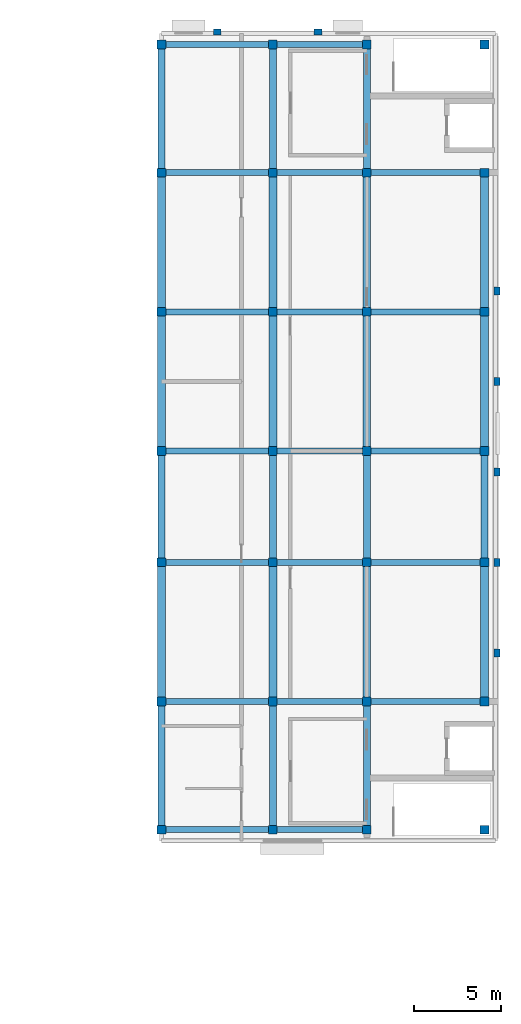
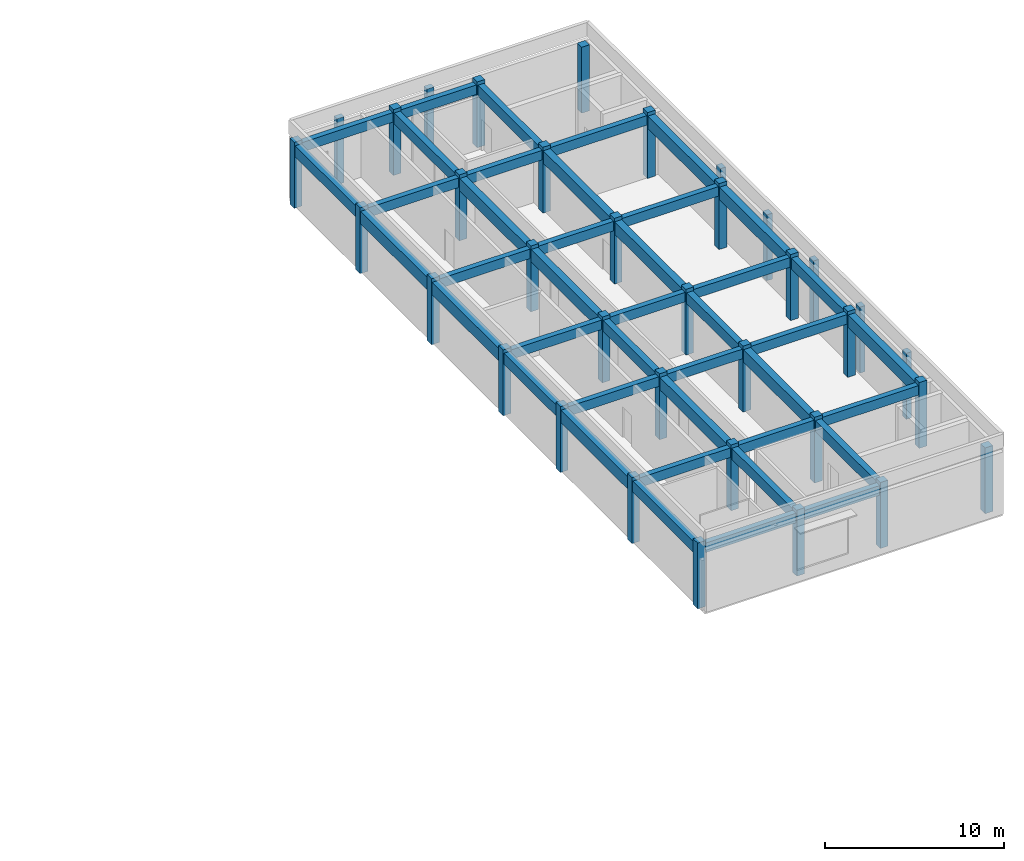
# One storey, part 1 of 5: 41 beams, 35 columns.
"""IFC4 building model written with IfcOpenShell, lengths in metres."""

from ifc_helpers import new_model, si_unit, direction, frame, origin, origin_2d, place, context, subcontext, project, spatial, rectangle, extrude, material, material_profile, profile_set, type_object, element, save


model = new_model("IFC4")

# Units and contexts
model_context = context("Model", 3, precision=1e-05, world=origin(), true_north=direction((0.0, 1.0)))
body_context = subcontext(model_context, "Body", "Model", "MODEL_VIEW")
ifc_project = project(units=[si_unit("LENGTHUNIT", "METRE"), si_unit("AREAUNIT", "SQUARE_METRE"), si_unit("VOLUMEUNIT", "CUBIC_METRE"), si_unit("PLANEANGLEUNIT", "RADIAN"), si_unit("MASSUNIT", "GRAM", prefix="KILO")], contexts=[model_context])

# Site, building, storey
site_placement = place(None, origin())
site = spatial("IfcSite", under=ifc_project, at=site_placement, CompositionType="ELEMENT")
building_placement = place(site_placement, origin())
building = spatial("IfcBuilding", under=site, at=building_placement, Name="Cinchona Park Media Centre", CompositionType="ELEMENT")
storey_placement = place(building_placement, frame((0.0, 0.0, 29.39990234375)))
storey = spatial("IfcBuildingStorey", under=building, at=storey_placement, Name="L06", CompositionType="ELEMENT", Elevation=29.39990234375)

# Columns
ifc_material_1 = material(Name="Concrete C40/50", Category="concrete")
ifc_material_profile_1 = material_profile(ifc_material_1, rectangle(XDim=0.5, YDim=0.5, at=origin_2d()), Name="RC 500X500")
ifc_profile_set_1 = profile_set([ifc_material_profile_1], Name="Concrete C40/50")
column_type_1 = type_object("IfcColumnType", Name="COL-C04-RC500X500", PredefinedType="COLUMN", material=ifc_profile_set_1)
for number, where, z_axis, x_axis, name in (
    (1, (152.800048828125, 72.239990234375, 0.0), (0.0, 0.0, 1.0), (1.0, 0.0, 0.0), "Column C04 L06"),
    (2, (152.800048828125, 79.60009765625, 0.0), (0.0, 0.0, 1.0), (1.0, 0.0, 0.0), "Column C04 L06"),
    (3, (152.800048828125, 87.60009765625, 0.0), (0.0, 0.0, 1.0), (1.0, 0.0, 0.0), "Column C04 L06"),
    (4, (152.800048828125, 94.0, 0.0), (0.0, 0.0, 1.0), (1.0, 0.0, 0.0), "Column C04 L06"),
    (5, (152.800048828125, 102.0, 0.0), (0.0, 0.0, 1.0), (1.0, 0.0, 0.0), "Column C04 L06"),
    (6, (152.800048828125, 110.0, 0.0), (0.0, 0.0, 1.0), (1.0, 0.0, 0.0), "Column C04 L06"),
    (7, (152.800048828125, 117.360107421875, 0.0), (0.0, 0.0, 1.0), (1.0, 0.0, 0.0), "Column C04 L06"),
    (8, (159.199951171875, 72.239990234375, 0.0), (0.0, 0.0, 1.0), (1.0, 0.0, 0.0), "Column C04 L06"),
    (9, (159.199951171875, 79.60009765625, 0.0), (0.0, 0.0, 1.0), (1.0, 0.0, 0.0), "Column C04 L06"),
    (10, (159.199951171875, 87.60009765625, 0.0), (0.0, 0.0, 1.0), (1.0, 0.0, 0.0), "Column C04 L06"),
    (11, (159.199951171875, 94.0, 0.0), (0.0, 0.0, 1.0), (1.0, 0.0, 0.0), "Column C04 L06"),
    (12, (159.199951171875, 102.0, 0.0), (0.0, 0.0, 1.0), (1.0, 0.0, 0.0), "Column C04 L06"),
    (13, (159.199951171875, 110.0, 0.0), (0.0, 0.0, 1.0), (1.0, 0.0, 0.0), "Column C04 L06"),
    (14, (159.199951171875, 117.360107421875, 0.0), (0.0, 0.0, 1.0), (1.0, 0.0, 0.0), "Column C04 L06"),
    (15, (164.60009765625, 72.239990234375, 0.0), (0.0, 0.0, 1.0), (1.0, 0.0, 0.0), "Column C04 L06"),
    (16, (164.60009765625, 79.60009765625, 0.0), (0.0, 0.0, 1.0), (1.0, 0.0, 0.0), "Column C04 L06"),
    (17, (164.60009765625, 87.60009765625, 0.0), (0.0, 0.0, 1.0), (1.0, 0.0, 0.0), "Column C04 L06"),
    (18, (164.60009765625, 94.0, 0.0), (0.0, 0.0, 1.0), (1.0, 0.0, 0.0), "Column C04 L06"),
    (19, (164.60009765625, 102.0, 0.0), (0.0, 0.0, 1.0), (1.0, 0.0, 0.0), "Column C04 L06"),
    (20, (164.60009765625, 110.0, 0.0), (0.0, 0.0, 1.0), (1.0, 0.0, 0.0), "Column C04 L06"),
    (21, (164.60009765625, 117.360107421875, 0.0), (0.0, 0.0, 1.0), (1.0, 0.0, 0.0), "Column C04 L06"),
    (22, (171.360107421875, 72.239990234375, 0.0), (0.0, 0.0, 1.0), (1.0, 0.0, 0.0), "Column C04 L06"),
    (23, (171.360107421875, 79.60009765625, 0.0), (0.0, 0.0, 1.0), (1.0, 0.0, 0.0), "Column C04 L06"),
    (24, (171.360107421875, 87.60009765625, 0.0), (0.0, 0.0, 1.0), (1.0, 0.0, 0.0), "Column C04 L06"),
    (25, (171.360107421875, 94.0, 0.0), (0.0, 0.0, 1.0), (1.0, 0.0, 0.0), "Column C04 L06"),
    (26, (171.360107421875, 102.0, 0.0), (0.0, 0.0, 1.0), (1.0, 0.0, 0.0), "Column C04 L06"),
    (27, (171.360107421875, 110.0, 0.0), (0.0, 0.0, 1.0), (1.0, 0.0, 0.0), "Column C04 L06"),
    (28, (171.360107421875, 117.360107421875, 0.0), (0.0, 0.0, 1.0), (1.0, 0.0, 0.0), "Column C04 L06"),
):
    element("IfcColumn", number, at=place(storey_placement, frame(where, z_axis=z_axis, x_axis=x_axis)), inside=storey, type_object=column_type_1, Name=name, PredefinedType="COLUMN", context=body_context, shape_type="SweptSolid", body=[
        extrude(rectangle(XDim=0.5, YDim=0.5, at=origin_2d()), origin(), (0.0, 0.0, 1.0), 4.5),
    ])
ifc_material_2 = material(Name="Concrete C40/50", Category="concrete")
ifc_material_profile_2 = material_profile(ifc_material_2, rectangle(XDim=0.35009765625, YDim=0.449951171875, at=origin_2d()), Name="RC 350X450")
ifc_profile_set_2 = profile_set([ifc_material_profile_2], Name="Concrete C40/50")
column_type_2 = type_object("IfcColumnType", Name="COL-CP01-RC350X450", PredefinedType="PILASTER", material=ifc_profile_set_2)
for number, where, z_axis, x_axis, name in (
    (29, (172.080078125, 82.39990234375, 0.0), (0.0, 0.0, 1.0), (1.0, 0.0, 0.0), "Pilaster CP01 L06"),
    (30, (172.080078125, 87.60009765625, 0.0), (0.0, 0.0, 1.0), (1.0, 0.0, 0.0), "Pilaster CP01 L06"),
    (31, (172.080078125, 92.800048828125, 0.0), (0.0, 0.0, 1.0), (1.0, 0.0, 0.0), "Pilaster CP01 L06"),
    (32, (172.080078125, 98.0, 0.0), (0.0, 0.0, 1.0), (1.0, 0.0, 0.0), "Pilaster CP01 L06"),
    (33, (172.080078125, 103.199951171875, 0.0), (0.0, 0.0, 1.0), (1.0, 0.0, 0.0), "Pilaster CP01 L06"),
    (34, (156.0, 118.080078125, 0.0), (0.0, 0.0, 1.0), (0.0, 1.0, 0.0), "Pilaster CP01 L06"),
    (35, (161.800048828125, 118.080078125, 0.0), (0.0, 0.0, 1.0), (0.0, 1.0, 0.0), "Pilaster CP01 L06"),
):
    element("IfcColumn", number, at=place(storey_placement, frame(where, z_axis=z_axis, x_axis=x_axis)), inside=storey, type_object=column_type_2, Name=name, PredefinedType="PILASTER", context=body_context, shape_type="SweptSolid", body=[
        extrude(rectangle(XDim=0.35009765625, YDim=0.449951171875, at=origin_2d()), origin(), (0.0, 0.0, 1.0), 4.5),
    ])

# Beams
ifc_material_3 = material(Name="Concrete C35/45", Category="concrete")
ifc_material_profile_3 = material_profile(ifc_material_3, rectangle(XDim=0.39990234375, YDim=0.75, at=origin_2d()), Name="RB 400X750")
ifc_profile_set_3 = profile_set([ifc_material_profile_3], Name="Concrete C35/45")
beam_type_1 = type_object("IfcBeamType", Name="BEAM-B01-RB400X750", PredefinedType="BEAM", material=ifc_profile_set_3)
beam_1_placement = place(storey_placement, frame((152.800048828125, 72.489990234375, 3.880126953125), z_axis=(0.0, 1.0, 0.0), x_axis=(-1.0, 0.0, 0.0)))
element("IfcBeam", 36, at=beam_1_placement, inside=storey, type_object=beam_type_1, Name="Girder B01 L06", PredefinedType="BEAM", context=body_context, shape_type="SweptSolid", body=[
    extrude(rectangle(XDim=0.39990234375, YDim=0.75, at=origin_2d()), origin(), (0.0, 0.0, 1.0), 6.860107421875),
])
beam_2_placement = place(storey_placement, frame((152.800048828125, 87.85009765625, 3.880126953125), z_axis=(0.0, 1.0, 0.0), x_axis=(-1.0, 0.0, 0.0)))
element("IfcBeam", 37, at=beam_2_placement, inside=storey, type_object=beam_type_1, Name="Girder B01 L06", PredefinedType="BEAM", context=body_context, shape_type="SweptSolid", body=[
    extrude(rectangle(XDim=0.39990234375, YDim=0.75, at=origin_2d()), origin(), (0.0, 0.0, 1.0), 5.89990234375),
])
for number, where, z_axis, x_axis, name in (
    (38, (152.800048828125, 110.25, 3.880126953125), (0.0, 1.0, 0.0), (-1.0, 0.0, 0.0), "Girder B01 L06"),
    (39, (159.199951171875, 72.489990234375, 3.880126953125), (0.0, 1.0, 0.0), (-1.0, 0.0, 0.0), "Girder B01 L06"),
):
    element("IfcBeam", number, at=place(storey_placement, frame(where, z_axis=z_axis, x_axis=x_axis)), inside=storey, type_object=beam_type_1, Name=name, PredefinedType="BEAM", context=body_context, shape_type="SweptSolid", body=[
        extrude(rectangle(XDim=0.39990234375, YDim=0.75, at=origin_2d()), origin(), (0.0, 0.0, 1.0), 6.860107421875),
    ])
beam_3_placement = place(storey_placement, frame((159.199951171875, 87.85009765625, 3.880126953125), z_axis=(0.0, 1.0, 0.0), x_axis=(-1.0, 0.0, 0.0)))
element("IfcBeam", 40, at=beam_3_placement, inside=storey, type_object=beam_type_1, Name="Girder B01 L06", PredefinedType="BEAM", context=body_context, shape_type="SweptSolid", body=[
    extrude(rectangle(XDim=0.39990234375, YDim=0.75, at=origin_2d()), origin(), (0.0, 0.0, 1.0), 5.89990234375),
])
for number, where, z_axis, x_axis, name in (
    (41, (159.199951171875, 110.25, 3.880126953125), (0.0, 1.0, 0.0), (-1.0, 0.0, 0.0), "Girder B01 L06"),
    (42, (164.60009765625, 72.489990234375, 3.880126953125), (0.0, 1.0, 0.0), (-1.0, 0.0, 0.0), "Girder B01 L06"),
):
    element("IfcBeam", number, at=place(storey_placement, frame(where, z_axis=z_axis, x_axis=x_axis)), inside=storey, type_object=beam_type_1, Name=name, PredefinedType="BEAM", context=body_context, shape_type="SweptSolid", body=[
        extrude(rectangle(XDim=0.39990234375, YDim=0.75, at=origin_2d()), origin(), (0.0, 0.0, 1.0), 6.860107421875),
    ])
beam_4_placement = place(storey_placement, frame((164.60009765625, 87.85009765625, 3.880126953125), z_axis=(0.0, 1.0, 0.0), x_axis=(-1.0, 0.0, 0.0)))
element("IfcBeam", 43, at=beam_4_placement, inside=storey, type_object=beam_type_1, Name="Girder B01 L06", PredefinedType="BEAM", context=body_context, shape_type="SweptSolid", body=[
    extrude(rectangle(XDim=0.39990234375, YDim=0.75, at=origin_2d()), origin(), (0.0, 0.0, 1.0), 5.89990234375),
])
beam_5_placement = place(storey_placement, frame((164.60009765625, 110.25, 3.880126953125), z_axis=(0.0, 1.0, 0.0), x_axis=(-1.0, 0.0, 0.0)))
element("IfcBeam", 44, at=beam_5_placement, inside=storey, type_object=beam_type_1, Name="Girder B01 L06", PredefinedType="BEAM", context=body_context, shape_type="SweptSolid", body=[
    extrude(rectangle(XDim=0.39990234375, YDim=0.75, at=origin_2d()), origin(), (0.0, 0.0, 1.0), 6.860107421875),
])
beam_6_placement = place(storey_placement, frame((171.360107421875, 87.85009765625, 3.880126953125), z_axis=(0.0, 1.0, 0.0), x_axis=(-1.0, 0.0, 0.0)))
element("IfcBeam", 45, at=beam_6_placement, inside=storey, type_object=beam_type_1, Name="Girder B01 L06", PredefinedType="BEAM", context=body_context, shape_type="SweptSolid", body=[
    extrude(rectangle(XDim=0.39990234375, YDim=0.75, at=origin_2d()), origin(), (0.0, 0.0, 1.0), 5.89990234375),
])
ifc_material_4 = material(Name="Concrete C35/45", Category="concrete")
ifc_material_profile_4 = material_profile(ifc_material_4, rectangle(XDim=0.449951171875, YDim=0.85009765625, at=origin_2d()), Name="RB 450X850")
ifc_profile_set_4 = profile_set([ifc_material_profile_4], Name="Concrete C35/45")
beam_type_2 = type_object("IfcBeamType", Name="BEAM-B02-RB450X850", PredefinedType="BEAM", material=ifc_profile_set_4)
for number, where, z_axis, x_axis, name in (
    (46, (152.800048828125, 79.85009765625, 3.830078125), (0.0, 1.0, 0.0), (-1.0, 0.0, 0.0), "Girder B02 L06"),
    (47, (152.800048828125, 94.25, 3.830078125), (0.0, 1.0, 0.0), (-1.0, 0.0, 0.0), "Girder B02 L06"),
    (48, (152.800048828125, 102.25, 3.830078125), (0.0, 1.0, 0.0), (-1.0, 0.0, 0.0), "Girder B02 L06"),
    (49, (159.199951171875, 79.85009765625, 3.830078125), (0.0, 1.0, 0.0), (-1.0, 0.0, 0.0), "Girder B02 L06"),
    (50, (159.199951171875, 94.25, 3.830078125), (0.0, 1.0, 0.0), (-1.0, 0.0, 0.0), "Girder B02 L06"),
    (51, (159.199951171875, 102.25, 3.830078125), (0.0, 1.0, 0.0), (-1.0, 0.0, 0.0), "Girder B02 L06"),
    (52, (164.60009765625, 79.85009765625, 3.830078125), (0.0, 1.0, 0.0), (-1.0, 0.0, 0.0), "Girder B02 L06"),
    (53, (164.60009765625, 94.25, 3.830078125), (0.0, 1.0, 0.0), (-1.0, 0.0, 0.0), "Girder B02 L06"),
    (54, (164.60009765625, 102.25, 3.830078125), (0.0, 1.0, 0.0), (-1.0, 0.0, 0.0), "Girder B02 L06"),
    (55, (171.360107421875, 79.85009765625, 3.830078125), (0.0, 1.0, 0.0), (-1.0, 0.0, 0.0), "Girder B02 L06"),
    (56, (171.360107421875, 94.25, 3.830078125), (0.0, 1.0, 0.0), (-1.0, 0.0, 0.0), "Girder B02 L06"),
    (57, (171.360107421875, 102.25, 3.830078125), (0.0, 1.0, 0.0), (-1.0, 0.0, 0.0), "Girder B02 L06"),
):
    element("IfcBeam", number, at=place(storey_placement, frame(where, z_axis=z_axis, x_axis=x_axis)), inside=storey, type_object=beam_type_2, Name=name, PredefinedType="BEAM", context=body_context, shape_type="SweptSolid", body=[
        extrude(rectangle(XDim=0.449951171875, YDim=0.85009765625, at=origin_2d()), origin(), (0.0, 0.0, 1.0), 7.5),
    ])
ifc_material_5 = material(Name="Concrete C35/45", Category="concrete")
ifc_material_profile_5 = material_profile(ifc_material_5, rectangle(XDim=0.35009765625, YDim=0.64990234375, at=origin_2d()), Name="RB 350X650")
ifc_profile_set_5 = profile_set([ifc_material_profile_5], Name="Concrete C35/45")
beam_type_3 = type_object("IfcBeamType", Name="BEAM-B04-RB350X650", PredefinedType="BEAM", material=ifc_profile_set_5)
beam_7_placement = place(storey_placement, frame((153.050048828125, 72.239990234375, 3.93017578125), z_axis=(1.0, 0.0, 0.0), x_axis=(0.0, 1.0, 0.0)))
element("IfcBeam", 58, at=beam_7_placement, inside=storey, type_object=beam_type_3, Name="Beam B04 L06", PredefinedType="BEAM", context=body_context, shape_type="SweptSolid", body=[
    extrude(rectangle(XDim=0.35009765625, YDim=0.64990234375, at=origin_2d()), origin(), (0.0, 0.0, 1.0), 5.89990234375),
])
beam_8_placement = place(storey_placement, frame((159.449951171875, 72.239990234375, 3.93017578125), z_axis=(1.0, 0.0, 0.0), x_axis=(0.0, 1.0, 0.0)))
element("IfcBeam", 59, at=beam_8_placement, inside=storey, type_object=beam_type_3, Name="Beam B04 L06", PredefinedType="BEAM", context=body_context, shape_type="SweptSolid", body=[
    extrude(rectangle(XDim=0.35009765625, YDim=0.64990234375, at=origin_2d()), origin(), (0.0, 0.0, 1.0), 4.900146484375),
])
beam_9_placement = place(storey_placement, frame((153.050048828125, 79.60009765625, 3.93017578125), z_axis=(1.0, 0.0, 0.0), x_axis=(0.0, 1.0, 0.0)))
element("IfcBeam", 60, at=beam_9_placement, inside=storey, type_object=beam_type_3, Name="Beam B04 L06", PredefinedType="BEAM", context=body_context, shape_type="SweptSolid", body=[
    extrude(rectangle(XDim=0.35009765625, YDim=0.64990234375, at=origin_2d()), origin(), (0.0, 0.0, 1.0), 5.89990234375),
])
beam_10_placement = place(storey_placement, frame((159.449951171875, 79.60009765625, 3.93017578125), z_axis=(1.0, 0.0, 0.0), x_axis=(0.0, 1.0, 0.0)))
element("IfcBeam", 61, at=beam_10_placement, inside=storey, type_object=beam_type_3, Name="Beam B04 L06", PredefinedType="BEAM", context=body_context, shape_type="SweptSolid", body=[
    extrude(rectangle(XDim=0.35009765625, YDim=0.64990234375, at=origin_2d()), origin(), (0.0, 0.0, 1.0), 4.900146484375),
])
beam_11_placement = place(storey_placement, frame((164.85009765625, 79.60009765625, 3.93017578125), z_axis=(1.0, 0.0, 0.0), x_axis=(0.0, 1.0, 0.0)))
element("IfcBeam", 62, at=beam_11_placement, inside=storey, type_object=beam_type_3, Name="Beam B04 L06", PredefinedType="BEAM", context=body_context, shape_type="SweptSolid", body=[
    extrude(rectangle(XDim=0.35009765625, YDim=0.64990234375, at=origin_2d()), origin(), (0.0, 0.0, 1.0), 6.260009765625),
])
beam_12_placement = place(storey_placement, frame((153.050048828125, 87.60009765625, 3.93017578125), z_axis=(1.0, 0.0, 0.0), x_axis=(0.0, 1.0, 0.0)))
element("IfcBeam", 63, at=beam_12_placement, inside=storey, type_object=beam_type_3, Name="Beam B04 L06", PredefinedType="BEAM", context=body_context, shape_type="SweptSolid", body=[
    extrude(rectangle(XDim=0.35009765625, YDim=0.64990234375, at=origin_2d()), origin(), (0.0, 0.0, 1.0), 5.89990234375),
])
beam_13_placement = place(storey_placement, frame((159.449951171875, 87.60009765625, 3.93017578125), z_axis=(1.0, 0.0, 0.0), x_axis=(0.0, 1.0, 0.0)))
element("IfcBeam", 64, at=beam_13_placement, inside=storey, type_object=beam_type_3, Name="Beam B04 L06", PredefinedType="BEAM", context=body_context, shape_type="SweptSolid", body=[
    extrude(rectangle(XDim=0.35009765625, YDim=0.64990234375, at=origin_2d()), origin(), (0.0, 0.0, 1.0), 4.900146484375),
])
beam_14_placement = place(storey_placement, frame((164.85009765625, 87.60009765625, 3.93017578125), z_axis=(1.0, 0.0, 0.0), x_axis=(0.0, 1.0, 0.0)))
element("IfcBeam", 65, at=beam_14_placement, inside=storey, type_object=beam_type_3, Name="Beam B04 L06", PredefinedType="BEAM", context=body_context, shape_type="SweptSolid", body=[
    extrude(rectangle(XDim=0.35009765625, YDim=0.64990234375, at=origin_2d()), origin(), (0.0, 0.0, 1.0), 6.260009765625),
])
beam_15_placement = place(storey_placement, frame((153.050048828125, 94.0, 3.93017578125), z_axis=(1.0, 0.0, 0.0), x_axis=(0.0, 1.0, 0.0)))
element("IfcBeam", 66, at=beam_15_placement, inside=storey, type_object=beam_type_3, Name="Beam B04 L06", PredefinedType="BEAM", context=body_context, shape_type="SweptSolid", body=[
    extrude(rectangle(XDim=0.35009765625, YDim=0.64990234375, at=origin_2d()), origin(), (0.0, 0.0, 1.0), 5.89990234375),
])
beam_16_placement = place(storey_placement, frame((159.449951171875, 94.0, 3.93017578125), z_axis=(1.0, 0.0, 0.0), x_axis=(0.0, 1.0, 0.0)))
element("IfcBeam", 67, at=beam_16_placement, inside=storey, type_object=beam_type_3, Name="Beam B04 L06", PredefinedType="BEAM", context=body_context, shape_type="SweptSolid", body=[
    extrude(rectangle(XDim=0.35009765625, YDim=0.64990234375, at=origin_2d()), origin(), (0.0, 0.0, 1.0), 4.900146484375),
])
beam_17_placement = place(storey_placement, frame((164.85009765625, 94.0, 3.93017578125), z_axis=(1.0, 0.0, 0.0), x_axis=(0.0, 1.0, 0.0)))
element("IfcBeam", 68, at=beam_17_placement, inside=storey, type_object=beam_type_3, Name="Beam B04 L06", PredefinedType="BEAM", context=body_context, shape_type="SweptSolid", body=[
    extrude(rectangle(XDim=0.35009765625, YDim=0.64990234375, at=origin_2d()), origin(), (0.0, 0.0, 1.0), 6.260009765625),
])
beam_18_placement = place(storey_placement, frame((153.050048828125, 102.0, 3.93017578125), z_axis=(1.0, 0.0, 0.0), x_axis=(0.0, 1.0, 0.0)))
element("IfcBeam", 69, at=beam_18_placement, inside=storey, type_object=beam_type_3, Name="Beam B04 L06", PredefinedType="BEAM", context=body_context, shape_type="SweptSolid", body=[
    extrude(rectangle(XDim=0.35009765625, YDim=0.64990234375, at=origin_2d()), origin(), (0.0, 0.0, 1.0), 5.89990234375),
])
beam_19_placement = place(storey_placement, frame((159.449951171875, 102.0, 3.93017578125), z_axis=(1.0, 0.0, 0.0), x_axis=(0.0, 1.0, 0.0)))
element("IfcBeam", 70, at=beam_19_placement, inside=storey, type_object=beam_type_3, Name="Beam B04 L06", PredefinedType="BEAM", context=body_context, shape_type="SweptSolid", body=[
    extrude(rectangle(XDim=0.35009765625, YDim=0.64990234375, at=origin_2d()), origin(), (0.0, 0.0, 1.0), 4.900146484375),
])
beam_20_placement = place(storey_placement, frame((164.85009765625, 102.0, 3.93017578125), z_axis=(1.0, 0.0, 0.0), x_axis=(0.0, 1.0, 0.0)))
element("IfcBeam", 71, at=beam_20_placement, inside=storey, type_object=beam_type_3, Name="Beam B04 L06", PredefinedType="BEAM", context=body_context, shape_type="SweptSolid", body=[
    extrude(rectangle(XDim=0.35009765625, YDim=0.64990234375, at=origin_2d()), origin(), (0.0, 0.0, 1.0), 6.260009765625),
])
beam_21_placement = place(storey_placement, frame((153.050048828125, 110.0, 3.93017578125), z_axis=(1.0, 0.0, 0.0), x_axis=(0.0, 1.0, 0.0)))
element("IfcBeam", 72, at=beam_21_placement, inside=storey, type_object=beam_type_3, Name="Beam B04 L06", PredefinedType="BEAM", context=body_context, shape_type="SweptSolid", body=[
    extrude(rectangle(XDim=0.35009765625, YDim=0.64990234375, at=origin_2d()), origin(), (0.0, 0.0, 1.0), 5.89990234375),
])
beam_22_placement = place(storey_placement, frame((159.449951171875, 110.0, 3.93017578125), z_axis=(1.0, 0.0, 0.0), x_axis=(0.0, 1.0, 0.0)))
element("IfcBeam", 73, at=beam_22_placement, inside=storey, type_object=beam_type_3, Name="Beam B04 L06", PredefinedType="BEAM", context=body_context, shape_type="SweptSolid", body=[
    extrude(rectangle(XDim=0.35009765625, YDim=0.64990234375, at=origin_2d()), origin(), (0.0, 0.0, 1.0), 4.900146484375),
])
beam_23_placement = place(storey_placement, frame((164.85009765625, 110.0, 3.93017578125), z_axis=(1.0, 0.0, 0.0), x_axis=(0.0, 1.0, 0.0)))
element("IfcBeam", 74, at=beam_23_placement, inside=storey, type_object=beam_type_3, Name="Beam B04 L06", PredefinedType="BEAM", context=body_context, shape_type="SweptSolid", body=[
    extrude(rectangle(XDim=0.35009765625, YDim=0.64990234375, at=origin_2d()), origin(), (0.0, 0.0, 1.0), 6.260009765625),
])
beam_24_placement = place(storey_placement, frame((153.050048828125, 117.360107421875, 3.93017578125), z_axis=(1.0, 0.0, 0.0), x_axis=(0.0, 1.0, 0.0)))
element("IfcBeam", 75, at=beam_24_placement, inside=storey, type_object=beam_type_3, Name="Beam B04 L06", PredefinedType="BEAM", context=body_context, shape_type="SweptSolid", body=[
    extrude(rectangle(XDim=0.35009765625, YDim=0.64990234375, at=origin_2d()), origin(), (0.0, 0.0, 1.0), 5.89990234375),
])
beam_25_placement = place(storey_placement, frame((159.449951171875, 117.360107421875, 3.93017578125), z_axis=(1.0, 0.0, 0.0), x_axis=(0.0, 1.0, 0.0)))
element("IfcBeam", 76, at=beam_25_placement, inside=storey, type_object=beam_type_3, Name="Beam B04 L06", PredefinedType="BEAM", context=body_context, shape_type="SweptSolid", body=[
    extrude(rectangle(XDim=0.35009765625, YDim=0.64990234375, at=origin_2d()), origin(), (0.0, 0.0, 1.0), 4.900146484375),
])

save(model, "model.ifc")
